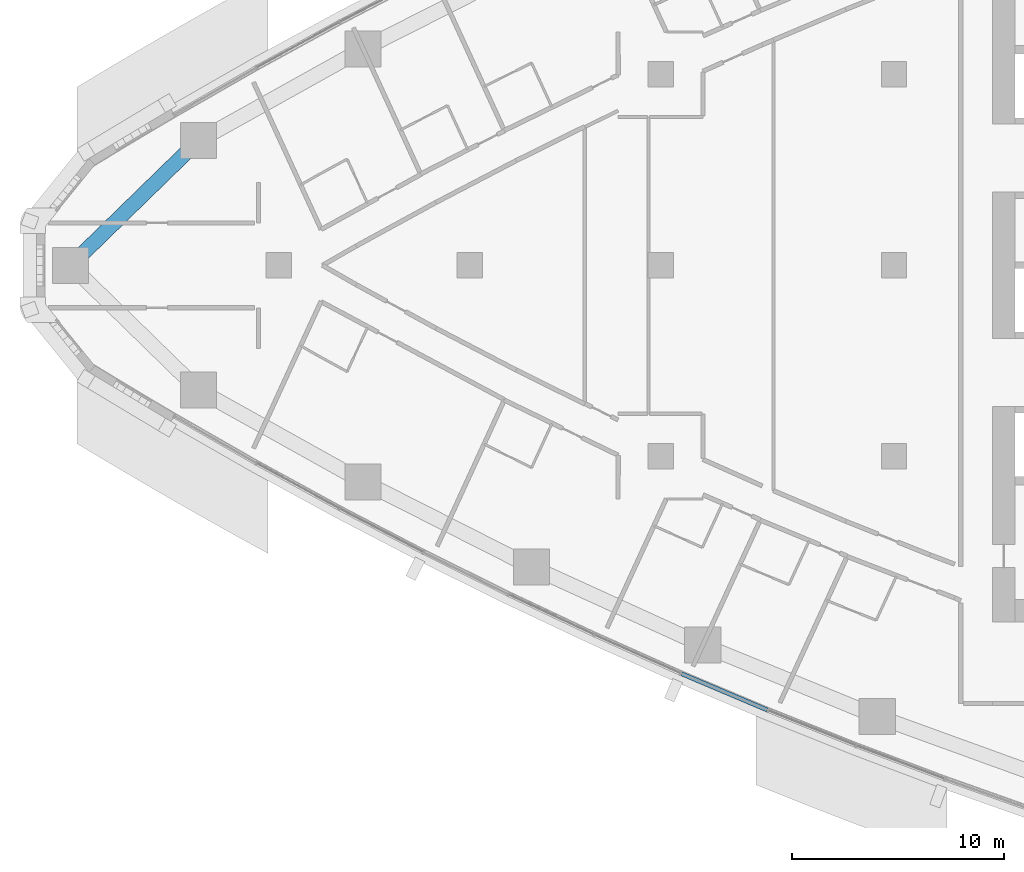
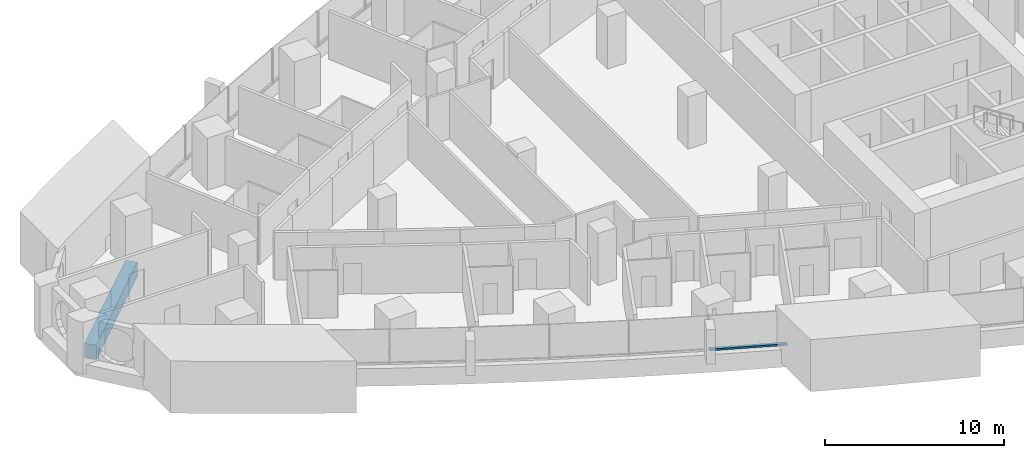
# One storey, part 3 of 17: 1 beam, 1 member, 1 element without a shape of its own.
"""IFC4 building model written with IfcOpenShell, lengths in metres."""

from ifc_helpers import new_model, si_unit, direction, frame, origin, origin_2d, place, context, subcontext, project, spatial, rectangle, extrude, material, layer, layer_set, material_profile, profile_set, type_object, element, aggregate, save


model = new_model("IFC4")

# Units and contexts
model_context = context("Model", 3, precision=1e-05, world=origin(), true_north=direction((0.0, 1.0)))
body_context = subcontext(model_context, "Body", "Model", "MODEL_VIEW")
ifc_project = project(units=[si_unit("LENGTHUNIT", "METRE"), si_unit("AREAUNIT", "SQUARE_METRE"), si_unit("VOLUMEUNIT", "CUBIC_METRE"), si_unit("PLANEANGLEUNIT", "RADIAN"), si_unit("MASSUNIT", "GRAM", prefix="KILO")], contexts=[model_context])

# Site, building, storey
site_placement = place(None, origin())
site = spatial("IfcSite", under=ifc_project, at=site_placement, CompositionType="ELEMENT")
building_placement = place(site_placement, origin())
building = spatial("IfcBuilding", under=site, at=building_placement, Name="Ostrand Prow Hotel Tower", CompositionType="ELEMENT")
storey_placement = place(building_placement, frame((0.0, 0.0, 84.89990234375)))
storey = spatial("IfcBuildingStorey", under=building, at=storey_placement, Name="L19", CompositionType="ELEMENT", Elevation=84.89990234375)

# Beam
ifc_material_1 = material(Name="Concrete C80/95", Category="concrete")
ifc_material_profile_1 = material_profile(ifc_material_1, rectangle(XDim=0.699951171875, YDim=1.0, at=origin_2d()), Name="RC 700x1000")
ifc_profile_set_1 = profile_set([ifc_material_profile_1], Name="Concrete C80/95")
beam_type = type_object("IfcBeamType", Name="Edge beam 700x1000 C80/95", PredefinedType="SPANDREL", material=ifc_profile_set_1)
beam_placement = place(storey_placement, frame((12.221435546875, 5.876220703125, -0.7998046875), z_axis=(-0.716082759826, -0.698015387423, 0.0), x_axis=(0.698015387423, -0.716082759826, 0.0)))
element("IfcBeam", 1, at=beam_placement, inside=storey, type_object=beam_type, Name="Edge beam N6-P", PredefinedType="SPANDREL", context=body_context, shape_type="SweptSolid", body=[
    extrude(rectangle(XDim=0.699951171875, YDim=1.0, at=origin_2d()), origin(), (0.0, 0.0, 1.0), 8.41845703125),
])

# Curtain wall, member
ifc_material_2 = material(Name="Insulated glass in bronze anodised frame", Category="glass")
ifc_layer = layer(ifc_material_2, 0.199951171875)
ifc_layer_set = layer_set([ifc_layer], Name="Insulated glass in bronze anodised frame")
curtain_wall_type = type_object("IfcCurtainWallType", Name="Strip curtain wall, fritted glass over bronze spandrel", PredefinedType="NOTDEFINED", material=ifc_layer_set)
curtain_wall_placement = place(storey_placement, origin())
curtain_wall = element("IfcCurtainWall", 2, at=curtain_wall_placement, inside=storey, type_object=curtain_wall_type, Name="CW1 run CWS4", PredefinedType="NOTDEFINED")
ifc_material_3 = material(Name="Bronze anodised aluminium", Category="aluminium")
ifc_material_profile_2 = material_profile(ifc_material_3, rectangle(XDim=0.199951171875, YDim=0.1201171875, at=origin_2d()), Name="Transom 120x200 bronze anodised aluminium")
ifc_profile_set_2 = profile_set([ifc_material_profile_2], Name="Bronze anodised aluminium")
member_type = type_object("IfcMemberType", Name="Transom 120x200 bronze anodised aluminium", PredefinedType="USERDEFINED", material=ifc_profile_set_2)
member_placement = place(storey_placement, frame((34.978271484375, -19.24462890625, 0.960205078125), z_axis=(0.921006250528, -0.389547797438, 0.0), x_axis=(0.389547797438, 0.921006250528, 0.0)))
member = element("IfcMember", 3, at=member_placement, type_object=member_type, Name="CW1 transom 1.1", ObjectType="TRANSOM", PredefinedType="USERDEFINED", context=body_context, shape_type="SweptSolid", body=[
    extrude(rectangle(XDim=0.199951171875, YDim=0.1201171875, at=origin_2d()), origin(), (0.0, 0.0, 1.0), 4.406005859375),
])
aggregate(curtain_wall, [member])

save(model, "model.ifc")
